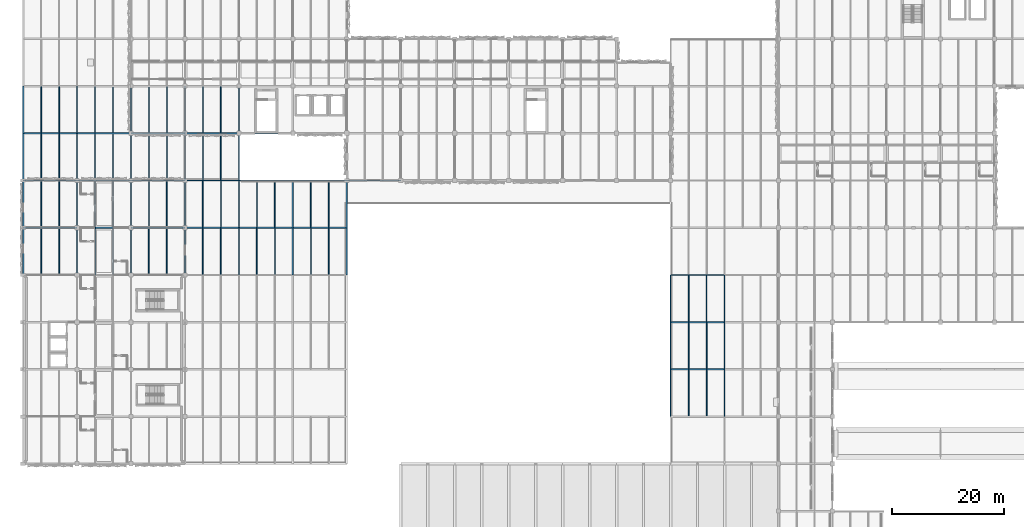
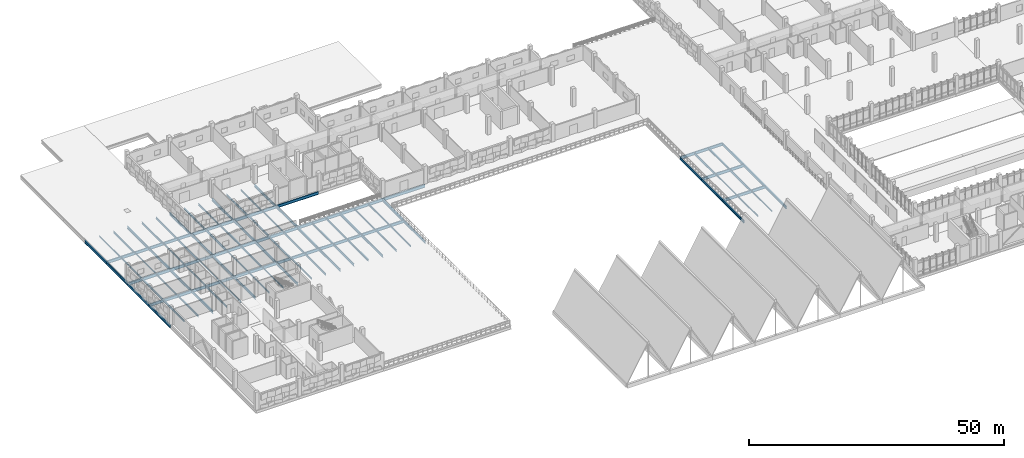
# One storey, part 11 of 86: 97 beams.
"""IFC4 building model written with IfcOpenShell, lengths in metres."""

from ifc_helpers import new_model, si_unit, direction, frame, origin, origin_2d, place, context, subcontext, project, spatial, i_section, extrude, material, material_profile, profile_set, type_object, element, save


model = new_model("IFC4")

# Units and contexts
model_context = context("Model", 3, precision=1e-05, world=origin(), true_north=direction((0.0, 1.0)))
body_context = subcontext(model_context, "Body", "Model", "MODEL_VIEW")
ifc_project = project(units=[si_unit("LENGTHUNIT", "METRE"), si_unit("AREAUNIT", "SQUARE_METRE"), si_unit("VOLUMEUNIT", "CUBIC_METRE"), si_unit("PLANEANGLEUNIT", "RADIAN"), si_unit("MASSUNIT", "GRAM", prefix="KILO")], contexts=[model_context])

# Site, building, storey
site_placement = place(None, origin())
site = spatial("IfcSite", under=ifc_project, at=site_placement, CompositionType="ELEMENT")
building_placement = place(site_placement, origin())
building = spatial("IfcBuilding", under=site, at=building_placement, Name="Oolite Switchyard Hospital", CompositionType="ELEMENT")
storey_placement = place(building_placement, frame((0.0, 0.0, 13.5)))
storey = spatial("IfcBuildingStorey", under=building, at=storey_placement, Name="L03", CompositionType="ELEMENT", Elevation=13.5)

# Beams
ifc_material = material(Name="Steel ASTM A992 Grade 50", Category="steel")
ifc_material_profile_1 = material_profile(ifc_material, i_section(OverallWidth=0.1650390625, OverallDepth=0.31005859375, WebThickness=0.006103515625, FlangeThickness=0.010009765625, at=origin_2d()), Name="W12X26")
ifc_profile_set_1 = profile_set([ifc_material_profile_1], Name="Steel ASTM A992 Grade 50")
beam_type_1 = type_object("IfcBeamType", Name="BM-W12X26", PredefinedType="JOIST", material=ifc_profile_set_1)
for number, where, z_axis, x_axis, name in (
    (1, (6.39990234375, 84.126953125, -0.375), (0.0, 1.0, 0.0), (-1.0, 0.0, 0.0), "L03 Secondary Steel Joist 2405"),
    (2, (3.199951171875, 92.527099609375, -0.375), (0.0, 1.0, 0.0), (-1.0, 0.0, 0.0), "L03 Secondary Steel Joist 2406"),
    (3, (16.0, 75.72705078125, -0.429931640625), (0.0, 1.0, 0.0), (-1.0, 0.0, 0.0), "L03 Secondary Steel Joist 2425"),
    (4, (12.800048828125, 84.126953125, -0.375), (0.0, 1.0, 0.0), (-1.0, 0.0, 0.0), "L03 Secondary Steel Joist 2426"),
    (5, (25.60009765625, 67.326904296875, -0.429931640625), (0.0, 1.0, 0.0), (-1.0, 0.0, 0.0), "L03 Secondary Steel Joist 2443"),
    (6, (22.39990234375, 75.72705078125, -0.429931640625), (0.0, 1.0, 0.0), (-1.0, 0.0, 0.0), "L03 Secondary Steel Joist 2444"),
    (7, (32.0, 67.326904296875, -0.445068359375), (0.0, 1.0, 0.0), (-1.0, 0.0, 0.0), "L03 Secondary Steel Joist 2464"),
    (8, (121.60009765625, 42.126953125, -0.445068359375), (0.0, 1.0, 0.0), (-1.0, 0.0, 0.0), "L03 Secondary Steel Joist 2559"),
    (9, (118.39990234375, 50.527099609375, -0.445068359375), (0.0, 1.0, 0.0), (-1.0, 0.0, 0.0), "L03 Secondary Steel Joist 2560"),
):
    element("IfcBeam", number, at=place(storey_placement, frame(where, z_axis=z_axis, x_axis=x_axis)), inside=storey, type_object=beam_type_1, Name=name, PredefinedType="JOIST", context=body_context, shape_type="SweptSolid", body=[
        extrude(i_section(OverallWidth=0.1650390625, OverallDepth=0.31005859375, WebThickness=0.006103515625, FlangeThickness=0.010009765625, at=origin_2d()), origin(), (0.0, 0.0, 1.0), 8.14599609375),
    ])
ifc_material_profile_2 = material_profile(ifc_material, i_section(OverallWidth=0.1708984375, OverallDepth=0.35107421875, WebThickness=0.007080078125, FlangeThickness=0.010009765625, at=origin_2d()), Name="W14X30")
ifc_profile_set_2 = profile_set([ifc_material_profile_2], Name="Steel ASTM A992 Grade 50")
beam_type_2 = type_object("IfcBeamType", Name="BM-W14X30", PredefinedType="JOIST", material=ifc_profile_set_2)
for number, where, z_axis, x_axis, name in (
    (10, (6.39990234375, 75.72705078125, -0.449951171875), (0.0, 1.0, 0.0), (-1.0, 0.0, 0.0), "L03 Secondary Steel Joist 2403"),
    (11, (3.199951171875, 84.126953125, -0.39599609375), (0.0, 1.0, 0.0), (-1.0, 0.0, 0.0), "L03 Secondary Steel Joist 2404"),
    (12, (16.0, 67.326904296875, -0.449951171875), (0.0, 1.0, 0.0), (-1.0, 0.0, 0.0), "L03 Secondary Steel Joist 2423"),
    (13, (12.800048828125, 75.72705078125, -0.449951171875), (0.0, 1.0, 0.0), (-1.0, 0.0, 0.0), "L03 Secondary Steel Joist 2424"),
    (14, (22.39990234375, 67.326904296875, -0.449951171875), (0.0, 1.0, 0.0), (-1.0, 0.0, 0.0), "L03 Secondary Steel Joist 2442"),
    (15, (118.39990234375, 42.126953125, -0.465087890625), (0.0, 1.0, 0.0), (-1.0, 0.0, 0.0), "L03 Secondary Steel Joist 2558"),
):
    element("IfcBeam", number, at=place(storey_placement, frame(where, z_axis=z_axis, x_axis=x_axis)), inside=storey, type_object=beam_type_2, Name=name, PredefinedType="JOIST", context=body_context, shape_type="SweptSolid", body=[
        extrude(i_section(OverallWidth=0.1708984375, OverallDepth=0.35107421875, WebThickness=0.007080078125, FlangeThickness=0.010009765625, at=origin_2d()), origin(), (0.0, 0.0, 1.0), 8.14599609375),
    ])
ifc_material_profile_3 = material_profile(ifc_material, i_section(OverallWidth=0.177978515625, OverallDepth=0.403076171875, WebThickness=0.008056640625, FlangeThickness=0.010986328125, at=origin_2d()), Name="W16X36")
ifc_profile_set_3 = profile_set([ifc_material_profile_3], Name="Steel ASTM A992 Grade 50")
beam_type_3 = type_object("IfcBeamType", Name="BM-W16X36", PredefinedType="JOIST", material=ifc_profile_set_3)
for number, where, z_axis, x_axis, name in (
    (16, (6.39990234375, 67.326904296875, -0.47607421875), (0.0, 1.0, 0.0), (-1.0, 0.0, 0.0), "L03 Secondary Steel Joist 2401"),
    (17, (3.199951171875, 75.72705078125, -0.47607421875), (0.0, 1.0, 0.0), (-1.0, 0.0, 0.0), "L03 Secondary Steel Joist 2402"),
    (18, (12.800048828125, 67.326904296875, -0.47607421875), (0.0, 1.0, 0.0), (-1.0, 0.0, 0.0), "L03 Secondary Steel Joist 2422"),
):
    element("IfcBeam", number, at=place(storey_placement, frame(where, z_axis=z_axis, x_axis=x_axis)), inside=storey, type_object=beam_type_3, Name=name, PredefinedType="JOIST", context=body_context, shape_type="SweptSolid", body=[
        extrude(i_section(OverallWidth=0.177978515625, OverallDepth=0.403076171875, WebThickness=0.008056640625, FlangeThickness=0.010986328125, at=origin_2d()), origin(), (0.0, 0.0, 1.0), 8.14599609375),
    ])
ifc_material_profile_4 = material_profile(ifc_material, i_section(OverallWidth=0.179931640625, OverallDepth=0.4130859375, WebThickness=0.010009765625, FlangeThickness=0.01611328125, at=origin_2d()), Name="W16X50")
ifc_profile_set_4 = profile_set([ifc_material_profile_4], Name="Steel ASTM A992 Grade 50")
beam_type_4 = type_object("IfcBeamType", Name="BM-W16X50", PredefinedType="JOIST", material=ifc_profile_set_4)
for number, where, z_axis, x_axis, name in (
    (19, (3.199951171875, 67.326904296875, -0.48193359375), (0.0, 1.0, 0.0), (-1.0, 0.0, 0.0), "L03 Secondary Steel Joist 2400"),
    (20, (35.199951171875, 92.527099609375, -0.52587890625), (0.0, 1.0, 0.0), (-1.0, 0.0, 0.0), "L03 Secondary Steel Joist 2471"),
    (21, (54.39990234375, 75.72705078125, -0.49609375), (0.0, 1.0, 0.0), (-1.0, 0.0, 0.0), "L03 Secondary Steel Joist 2509"),
):
    element("IfcBeam", number, at=place(storey_placement, frame(where, z_axis=z_axis, x_axis=x_axis)), inside=storey, type_object=beam_type_4, Name=name, PredefinedType="JOIST", context=body_context, shape_type="SweptSolid", body=[
        extrude(i_section(OverallWidth=0.179931640625, OverallDepth=0.4130859375, WebThickness=0.010009765625, FlangeThickness=0.01611328125, at=origin_2d()), origin(), (0.0, 0.0, 1.0), 8.14599609375),
    ])
ifc_material_profile_5 = material_profile(ifc_material, i_section(OverallWidth=0.153076171875, OverallDepth=0.455078125, WebThickness=0.008056640625, FlangeThickness=0.012939453125, at=origin_2d()), Name="W18X40")
ifc_profile_set_5 = profile_set([ifc_material_profile_5], Name="Steel ASTM A992 Grade 50")
beam_type_5 = type_object("IfcBeamType", Name="BM-W18X40", PredefinedType="JOIST", material=ifc_profile_set_5)
for number, where, z_axis, x_axis, name in (
    (22, (25.60009765625, 92.527099609375, -0.548095703125), (0.0, 1.0, 0.0), (-1.0, 0.0, 0.0), "L03 Secondary Steel Joist 2449"),
    (23, (35.199951171875, 84.126953125, -0.447998046875), (0.0, 1.0, 0.0), (-1.0, 0.0, 0.0), "L03 Secondary Steel Joist 2469"),
    (24, (32.0, 92.527099609375, -0.548095703125), (0.0, 1.0, 0.0), (-1.0, 0.0, 0.0), "L03 Secondary Steel Joist 2470"),
    (25, (44.800048828125, 75.72705078125, -0.51708984375), (0.0, 1.0, 0.0), (-1.0, 0.0, 0.0), "L03 Secondary Steel Joist 2491"),
    (26, (54.39990234375, 67.326904296875, -0.51708984375), (0.0, 1.0, 0.0), (-1.0, 0.0, 0.0), "L03 Secondary Steel Joist 2507"),
    (27, (51.199951171875, 75.72705078125, -0.51708984375), (0.0, 1.0, 0.0), (-1.0, 0.0, 0.0), "L03 Secondary Steel Joist 2508"),
):
    element("IfcBeam", number, at=place(storey_placement, frame(where, z_axis=z_axis, x_axis=x_axis)), inside=storey, type_object=beam_type_5, Name=name, PredefinedType="JOIST", context=body_context, shape_type="SweptSolid", body=[
        extrude(i_section(OverallWidth=0.153076171875, OverallDepth=0.455078125, WebThickness=0.008056640625, FlangeThickness=0.012939453125, at=origin_2d()), origin(), (0.0, 0.0, 1.0), 8.14599609375),
    ])
ifc_material_profile_6 = material_profile(ifc_material, i_section(OverallWidth=0.19091796875, OverallDepth=0.4599609375, WebThickness=0.010009765625, FlangeThickness=0.01611328125, at=origin_2d()), Name="W18X55")
ifc_profile_set_6 = profile_set([ifc_material_profile_6], Name="Steel ASTM A992 Grade 50")
beam_type_6 = type_object("IfcBeamType", Name="BM-W18X55", PredefinedType="JOIST", material=ifc_profile_set_6)
for number, where, z_axis, x_axis, name in (
    (28, (16.0, 92.527099609375, -0.449951171875), (0.0, 1.0, 0.0), (-1.0, 0.0, 0.0), "L03 Secondary Steel Joist 2429"),
    (29, (25.60009765625, 84.126953125, -0.449951171875), (0.0, 1.0, 0.0), (-1.0, 0.0, 0.0), "L03 Secondary Steel Joist 2447"),
    (30, (22.39990234375, 92.527099609375, -0.550048828125), (0.0, 1.0, 0.0), (-1.0, 0.0, 0.0), "L03 Secondary Steel Joist 2448"),
    (31, (35.199951171875, 75.72705078125, -0.52001953125), (0.0, 1.0, 0.0), (-1.0, 0.0, 0.0), "L03 Secondary Steel Joist 2467"),
    (32, (32.0, 84.126953125, -0.449951171875), (0.0, 1.0, 0.0), (-1.0, 0.0, 0.0), "L03 Secondary Steel Joist 2468"),
    (33, (44.800048828125, 67.326904296875, -0.52001953125), (0.0, 1.0, 0.0), (-1.0, 0.0, 0.0), "L03 Secondary Steel Joist 2489"),
    (34, (41.60009765625, 75.72705078125, -0.52001953125), (0.0, 1.0, 0.0), (-1.0, 0.0, 0.0), "L03 Secondary Steel Joist 2490"),
    (35, (51.199951171875, 67.326904296875, -0.52001953125), (0.0, 1.0, 0.0), (-1.0, 0.0, 0.0), "L03 Secondary Steel Joist 2506"),
    (36, (121.60009765625, 58.927001953125, -0.52001953125), (0.0, 1.0, 0.0), (-1.0, 0.0, 0.0), "L03 Secondary Steel Joist 2563"),
):
    element("IfcBeam", number, at=place(storey_placement, frame(where, z_axis=z_axis, x_axis=x_axis)), inside=storey, type_object=beam_type_6, Name=name, PredefinedType="JOIST", context=body_context, shape_type="SweptSolid", body=[
        extrude(i_section(OverallWidth=0.19091796875, OverallDepth=0.4599609375, WebThickness=0.010009765625, FlangeThickness=0.01611328125, at=origin_2d()), origin(), (0.0, 0.0, 1.0), 8.14599609375),
    ])
ifc_material_profile_7 = material_profile(ifc_material, i_section(OverallWidth=0.166015625, OverallDepth=0.529052734375, WebThickness=0.010009765625, FlangeThickness=0.013916015625, at=origin_2d()), Name="W21X50")
ifc_profile_set_7 = profile_set([ifc_material_profile_7], Name="Steel ASTM A992 Grade 50")
beam_type_7 = type_object("IfcBeamType", Name="BM-W21X50", PredefinedType="JOIST", material=ifc_profile_set_7)
for number, where, z_axis, x_axis, name in (
    (37, (6.39990234375, 92.527099609375, -0.48388671875), (0.0, 1.0, 0.0), (-1.0, 0.0, 0.0), "L03 Secondary Steel Joist 2407"),
    (38, (16.0, 84.126953125, -0.48388671875), (0.0, 1.0, 0.0), (-1.0, 0.0, 0.0), "L03 Secondary Steel Joist 2427"),
    (39, (12.800048828125, 92.527099609375, -0.48388671875), (0.0, 1.0, 0.0), (-1.0, 0.0, 0.0), "L03 Secondary Steel Joist 2428"),
    (40, (25.60009765625, 75.72705078125, -0.5400390625), (0.0, 1.0, 0.0), (-1.0, 0.0, 0.0), "L03 Secondary Steel Joist 2445"),
    (41, (22.39990234375, 84.126953125, -0.48388671875), (0.0, 1.0, 0.0), (-1.0, 0.0, 0.0), "L03 Secondary Steel Joist 2446"),
    (42, (35.199951171875, 67.326904296875, -0.553955078125), (0.0, 1.0, 0.0), (-1.0, 0.0, 0.0), "L03 Secondary Steel Joist 2465"),
    (43, (32.0, 75.72705078125, -0.553955078125), (0.0, 1.0, 0.0), (-1.0, 0.0, 0.0), "L03 Secondary Steel Joist 2466"),
    (44, (41.60009765625, 67.326904296875, -0.553955078125), (0.0, 1.0, 0.0), (-1.0, 0.0, 0.0), "L03 Secondary Steel Joist 2488"),
    (45, (121.60009765625, 50.527099609375, -0.553955078125), (0.0, 1.0, 0.0), (-1.0, 0.0, 0.0), "L03 Secondary Steel Joist 2561"),
    (46, (118.39990234375, 58.927001953125, -0.553955078125), (0.0, 1.0, 0.0), (-1.0, 0.0, 0.0), "L03 Secondary Steel Joist 2562"),
):
    element("IfcBeam", number, at=place(storey_placement, frame(where, z_axis=z_axis, x_axis=x_axis)), inside=storey, type_object=beam_type_7, Name=name, PredefinedType="JOIST", context=body_context, shape_type="SweptSolid", body=[
        extrude(i_section(OverallWidth=0.166015625, OverallDepth=0.529052734375, WebThickness=0.010009765625, FlangeThickness=0.013916015625, at=origin_2d()), origin(), (0.0, 0.0, 1.0), 8.14599609375),
    ])
ifc_material_profile_8 = material_profile(ifc_material, i_section(OverallWidth=0.22900390625, OverallDepth=0.612060546875, WebThickness=0.011962890625, FlangeThickness=0.02001953125, at=origin_2d()), Name="W24X84")
ifc_profile_set_8 = profile_set([ifc_material_profile_8], Name="Steel ASTM A992 Grade 50")
beam_type_8 = type_object("IfcBeamType", Name="BM-W24X84", PredefinedType="BEAM", material=ifc_profile_set_8)
beam_1_placement = place(storey_placement, frame((9.60009765625, 67.199951171875, -0.5810546875), z_axis=(0.0, 1.0, 0.0), x_axis=(-1.0, 0.0, 0.0)))
element("IfcBeam", 47, at=beam_1_placement, inside=storey, type_object=beam_type_8, Name="L03 Y-Girder 2179", PredefinedType="BEAM", context=body_context, shape_type="SweptSolid", body=[
    extrude(i_section(OverallWidth=0.22900390625, OverallDepth=0.612060546875, WebThickness=0.011962890625, FlangeThickness=0.02001953125, at=origin_2d()), origin(), (0.0, 0.0, 1.0), 8.400146484375),
])
for number, where, z_axis, x_axis, name in (
    (48, (9.60009765625, 75.60009765625, -0.5810546875), (0.0, 1.0, 0.0), (-1.0, 0.0, 0.0), "L03 Y-Girder 2180"),
    (49, (9.60009765625, 84.0, -0.52587890625), (0.0, 1.0, 0.0), (-1.0, 0.0, 0.0), "L03 Y-Girder 2181"),
):
    element("IfcBeam", number, at=place(storey_placement, frame(where, z_axis=z_axis, x_axis=x_axis)), inside=storey, type_object=beam_type_8, Name=name, PredefinedType="BEAM", context=body_context, shape_type="SweptSolid", body=[
        extrude(i_section(OverallWidth=0.22900390625, OverallDepth=0.612060546875, WebThickness=0.011962890625, FlangeThickness=0.02001953125, at=origin_2d()), origin(), (0.0, 0.0, 1.0), 8.39990234375),
    ])
for number, where, z_axis, x_axis, name in (
    (50, (9.60009765625, 92.39990234375, -0.52587890625), (0.0, 1.0, 0.0), (-1.0, 0.0, 0.0), "L03 Y-Girder 2182"),
    (51, (19.199951171875, 67.199951171875, -0.5810546875), (0.0, 1.0, 0.0), (-1.0, 0.0, 0.0), "L03 Y-Girder 2191"),
):
    element("IfcBeam", number, at=place(storey_placement, frame(where, z_axis=z_axis, x_axis=x_axis)), inside=storey, type_object=beam_type_8, Name=name, PredefinedType="BEAM", context=body_context, shape_type="SweptSolid", body=[
        extrude(i_section(OverallWidth=0.22900390625, OverallDepth=0.612060546875, WebThickness=0.011962890625, FlangeThickness=0.02001953125, at=origin_2d()), origin(), (0.0, 0.0, 1.0), 8.400146484375),
    ])
for number, where, z_axis, x_axis, name in (
    (52, (19.199951171875, 75.60009765625, -0.5810546875), (0.0, 1.0, 0.0), (-1.0, 0.0, 0.0), "L03 Y-Girder 2192"),
    (53, (19.199951171875, 84.0, -0.52587890625), (0.0, 1.0, 0.0), (-1.0, 0.0, 0.0), "L03 Y-Girder 2193"),
):
    element("IfcBeam", number, at=place(storey_placement, frame(where, z_axis=z_axis, x_axis=x_axis)), inside=storey, type_object=beam_type_8, Name=name, PredefinedType="BEAM", context=body_context, shape_type="SweptSolid", body=[
        extrude(i_section(OverallWidth=0.22900390625, OverallDepth=0.612060546875, WebThickness=0.011962890625, FlangeThickness=0.02001953125, at=origin_2d()), origin(), (0.0, 0.0, 1.0), 8.39990234375),
    ])
for number, where, z_axis, x_axis, name in (
    (54, (19.199951171875, 92.39990234375, -0.6259765625), (0.0, 1.0, 0.0), (-1.0, 0.0, 0.0), "L03 Y-Girder 2194"),
    (55, (28.800048828125, 67.199951171875, -0.595947265625), (0.0, 1.0, 0.0), (-1.0, 0.0, 0.0), "L03 Y-Girder 2203"),
):
    element("IfcBeam", number, at=place(storey_placement, frame(where, z_axis=z_axis, x_axis=x_axis)), inside=storey, type_object=beam_type_8, Name=name, PredefinedType="BEAM", context=body_context, shape_type="SweptSolid", body=[
        extrude(i_section(OverallWidth=0.22900390625, OverallDepth=0.612060546875, WebThickness=0.011962890625, FlangeThickness=0.02001953125, at=origin_2d()), origin(), (0.0, 0.0, 1.0), 8.400146484375),
    ])
for number, where, z_axis, x_axis, name in (
    (56, (28.800048828125, 75.60009765625, -0.595947265625), (0.0, 1.0, 0.0), (-1.0, 0.0, 0.0), "L03 Y-Girder 2204"),
    (57, (28.800048828125, 84.0, -0.52587890625), (0.0, 1.0, 0.0), (-1.0, 0.0, 0.0), "L03 Y-Girder 2205"),
):
    element("IfcBeam", number, at=place(storey_placement, frame(where, z_axis=z_axis, x_axis=x_axis)), inside=storey, type_object=beam_type_8, Name=name, PredefinedType="BEAM", context=body_context, shape_type="SweptSolid", body=[
        extrude(i_section(OverallWidth=0.22900390625, OverallDepth=0.612060546875, WebThickness=0.011962890625, FlangeThickness=0.02001953125, at=origin_2d()), origin(), (0.0, 0.0, 1.0), 8.39990234375),
    ])
for number, where, z_axis, x_axis, name in (
    (58, (28.800048828125, 92.39990234375, -0.6259765625), (0.0, 1.0, 0.0), (-1.0, 0.0, 0.0), "L03 Y-Girder 2206"),
    (59, (38.39990234375, 67.199951171875, -0.595947265625), (0.0, 1.0, 0.0), (-1.0, 0.0, 0.0), "L03 Y-Girder 2215"),
):
    element("IfcBeam", number, at=place(storey_placement, frame(where, z_axis=z_axis, x_axis=x_axis)), inside=storey, type_object=beam_type_8, Name=name, PredefinedType="BEAM", context=body_context, shape_type="SweptSolid", body=[
        extrude(i_section(OverallWidth=0.22900390625, OverallDepth=0.612060546875, WebThickness=0.011962890625, FlangeThickness=0.02001953125, at=origin_2d()), origin(), (0.0, 0.0, 1.0), 8.400146484375),
    ])
for number, where, z_axis, x_axis, name in (
    (60, (38.39990234375, 75.60009765625, -0.595947265625), (0.0, 1.0, 0.0), (-1.0, 0.0, 0.0), "L03 Y-Girder 2216"),
    (61, (38.39990234375, 84.0, -0.52587890625), (0.0, 1.0, 0.0), (-1.0, 0.0, 0.0), "L03 Y-Girder 2217"),
):
    element("IfcBeam", number, at=place(storey_placement, frame(where, z_axis=z_axis, x_axis=x_axis)), inside=storey, type_object=beam_type_8, Name=name, PredefinedType="BEAM", context=body_context, shape_type="SweptSolid", body=[
        extrude(i_section(OverallWidth=0.22900390625, OverallDepth=0.612060546875, WebThickness=0.011962890625, FlangeThickness=0.02001953125, at=origin_2d()), origin(), (0.0, 0.0, 1.0), 8.39990234375),
    ])
for number, where, z_axis, x_axis, name in (
    (62, (38.39990234375, 92.39990234375, -0.6259765625), (0.0, 1.0, 0.0), (-1.0, 0.0, 0.0), "L03 Y-Girder 2218"),
    (63, (48.0, 67.199951171875, -0.595947265625), (0.0, 1.0, 0.0), (-1.0, 0.0, 0.0), "L03 Y-Girder 2227"),
):
    element("IfcBeam", number, at=place(storey_placement, frame(where, z_axis=z_axis, x_axis=x_axis)), inside=storey, type_object=beam_type_8, Name=name, PredefinedType="BEAM", context=body_context, shape_type="SweptSolid", body=[
        extrude(i_section(OverallWidth=0.22900390625, OverallDepth=0.612060546875, WebThickness=0.011962890625, FlangeThickness=0.02001953125, at=origin_2d()), origin(), (0.0, 0.0, 1.0), 8.400146484375),
    ])
beam_2_placement = place(storey_placement, frame((48.0, 75.60009765625, -0.595947265625), z_axis=(0.0, 1.0, 0.0), x_axis=(-1.0, 0.0, 0.0)))
element("IfcBeam", 64, at=beam_2_placement, inside=storey, type_object=beam_type_8, Name="L03 Y-Girder 2228", PredefinedType="BEAM", context=body_context, shape_type="SweptSolid", body=[
    extrude(i_section(OverallWidth=0.22900390625, OverallDepth=0.612060546875, WebThickness=0.011962890625, FlangeThickness=0.02001953125, at=origin_2d()), origin(), (0.0, 0.0, 1.0), 8.39990234375),
])
beam_3_placement = place(storey_placement, frame((57.60009765625, 67.199951171875, -0.595947265625), z_axis=(0.0, 1.0, 0.0), x_axis=(-1.0, 0.0, 0.0)))
element("IfcBeam", 65, at=beam_3_placement, inside=storey, type_object=beam_type_8, Name="L03 Y-Girder 2238", PredefinedType="BEAM", context=body_context, shape_type="SweptSolid", body=[
    extrude(i_section(OverallWidth=0.22900390625, OverallDepth=0.612060546875, WebThickness=0.011962890625, FlangeThickness=0.02001953125, at=origin_2d()), origin(), (0.0, 0.0, 1.0), 8.400146484375),
])
for number, where, z_axis, x_axis, name in (
    (66, (57.60009765625, 75.60009765625, -0.595947265625), (0.0, 1.0, 0.0), (-1.0, 0.0, 0.0), "L03 Y-Girder 2239"),
    (67, (115.199951171875, 42.0, -0.595947265625), (0.0, 1.0, 0.0), (-1.0, 0.0, 0.0), "L03 Y-Girder 2266"),
):
    element("IfcBeam", number, at=place(storey_placement, frame(where, z_axis=z_axis, x_axis=x_axis)), inside=storey, type_object=beam_type_8, Name=name, PredefinedType="BEAM", context=body_context, shape_type="SweptSolid", body=[
        extrude(i_section(OverallWidth=0.22900390625, OverallDepth=0.612060546875, WebThickness=0.011962890625, FlangeThickness=0.02001953125, at=origin_2d()), origin(), (0.0, 0.0, 1.0), 8.39990234375),
    ])
beam_4_placement = place(storey_placement, frame((115.199951171875, 50.39990234375, -0.595947265625), z_axis=(0.0, 1.0, 0.0), x_axis=(-1.0, 0.0, 0.0)))
element("IfcBeam", 68, at=beam_4_placement, inside=storey, type_object=beam_type_8, Name="L03 Y-Girder 2267", PredefinedType="BEAM", context=body_context, shape_type="SweptSolid", body=[
    extrude(i_section(OverallWidth=0.22900390625, OverallDepth=0.612060546875, WebThickness=0.011962890625, FlangeThickness=0.02001953125, at=origin_2d()), origin(), (0.0, 0.0, 1.0), 8.400146484375),
])
for number, where, z_axis, x_axis, name in (
    (69, (115.199951171875, 58.800048828125, -0.595947265625), (0.0, 1.0, 0.0), (-1.0, 0.0, 0.0), "L03 Y-Girder 2268"),
    (70, (124.800048828125, 42.0, -0.595947265625), (0.0, 1.0, 0.0), (-1.0, 0.0, 0.0), "L03 Y-Girder 2275"),
):
    element("IfcBeam", number, at=place(storey_placement, frame(where, z_axis=z_axis, x_axis=x_axis)), inside=storey, type_object=beam_type_8, Name=name, PredefinedType="BEAM", context=body_context, shape_type="SweptSolid", body=[
        extrude(i_section(OverallWidth=0.22900390625, OverallDepth=0.612060546875, WebThickness=0.011962890625, FlangeThickness=0.02001953125, at=origin_2d()), origin(), (0.0, 0.0, 1.0), 8.39990234375),
    ])
beam_5_placement = place(storey_placement, frame((124.800048828125, 50.39990234375, -0.595947265625), z_axis=(0.0, 1.0, 0.0), x_axis=(-1.0, 0.0, 0.0)))
element("IfcBeam", 71, at=beam_5_placement, inside=storey, type_object=beam_type_8, Name="L03 Y-Girder 2276", PredefinedType="BEAM", context=body_context, shape_type="SweptSolid", body=[
    extrude(i_section(OverallWidth=0.22900390625, OverallDepth=0.612060546875, WebThickness=0.011962890625, FlangeThickness=0.02001953125, at=origin_2d()), origin(), (0.0, 0.0, 1.0), 8.400146484375),
])
beam_6_placement = place(storey_placement, frame((124.800048828125, 58.800048828125, -0.595947265625), z_axis=(0.0, 1.0, 0.0), x_axis=(-1.0, 0.0, 0.0)))
element("IfcBeam", 72, at=beam_6_placement, inside=storey, type_object=beam_type_8, Name="L03 Y-Girder 2277", PredefinedType="BEAM", context=body_context, shape_type="SweptSolid", body=[
    extrude(i_section(OverallWidth=0.22900390625, OverallDepth=0.612060546875, WebThickness=0.011962890625, FlangeThickness=0.02001953125, at=origin_2d()), origin(), (0.0, 0.0, 1.0), 8.39990234375),
])
ifc_material_profile_9 = material_profile(ifc_material, i_section(OverallWidth=0.25390625, OverallDepth=0.68408203125, WebThickness=0.011962890625, FlangeThickness=0.01904296875, at=origin_2d()), Name="W27X94")
ifc_profile_set_9 = profile_set([ifc_material_profile_9], Name="Steel ASTM A992 Grade 50")
beam_type_9 = type_object("IfcBeamType", Name="BM-W27X94", PredefinedType="BEAM", material=ifc_profile_set_9)
for number, where, z_axis, x_axis, name in (
    (73, (115.199951171875, 50.39990234375, -0.632080078125), (1.0, 0.0, 0.0), (0.0, 1.0, 0.0), "L03 X-Girder 1981"),
    (74, (115.199951171875, 58.800048828125, -0.632080078125), (1.0, 0.0, 0.0), (0.0, 1.0, 0.0), "L03 X-Girder 1997"),
    (75, (115.199951171875, 67.199951171875, -0.632080078125), (1.0, 0.0, 0.0), (0.0, 1.0, 0.0), "L03 X-Girder 2013"),
    (76, (0.0, 75.60009765625, -0.616943359375), (1.0, 0.0, 0.0), (0.0, 1.0, 0.0), "L03 X-Girder 2023"),
):
    element("IfcBeam", number, at=place(storey_placement, frame(where, z_axis=z_axis, x_axis=x_axis)), inside=storey, type_object=beam_type_9, Name=name, PredefinedType="BEAM", context=body_context, shape_type="SweptSolid", body=[
        extrude(i_section(OverallWidth=0.25390625, OverallDepth=0.68408203125, WebThickness=0.011962890625, FlangeThickness=0.01904296875, at=origin_2d()), origin(), (0.0, 0.0, 1.0), 9.60009765625),
    ])
beam_7_placement = place(storey_placement, frame((9.60009765625, 75.60009765625, -0.616943359375), z_axis=(1.0, 0.0, 0.0), x_axis=(0.0, 1.0, 0.0)))
element("IfcBeam", 77, at=beam_7_placement, inside=storey, type_object=beam_type_9, Name="L03 X-Girder 2024", PredefinedType="BEAM", context=body_context, shape_type="SweptSolid", body=[
    extrude(i_section(OverallWidth=0.25390625, OverallDepth=0.68408203125, WebThickness=0.011962890625, FlangeThickness=0.01904296875, at=origin_2d()), origin(), (0.0, 0.0, 1.0), 9.599853515625),
])
beam_8_placement = place(storey_placement, frame((19.199951171875, 75.60009765625, -0.616943359375), z_axis=(1.0, 0.0, 0.0), x_axis=(0.0, 1.0, 0.0)))
element("IfcBeam", 78, at=beam_8_placement, inside=storey, type_object=beam_type_9, Name="L03 X-Girder 2025", PredefinedType="BEAM", context=body_context, shape_type="SweptSolid", body=[
    extrude(i_section(OverallWidth=0.25390625, OverallDepth=0.68408203125, WebThickness=0.011962890625, FlangeThickness=0.01904296875, at=origin_2d()), origin(), (0.0, 0.0, 1.0), 9.60009765625),
])
beam_9_placement = place(storey_placement, frame((28.800048828125, 75.60009765625, -0.632080078125), z_axis=(1.0, 0.0, 0.0), x_axis=(0.0, 1.0, 0.0)))
element("IfcBeam", 79, at=beam_9_placement, inside=storey, type_object=beam_type_9, Name="L03 X-Girder 2026", PredefinedType="BEAM", context=body_context, shape_type="SweptSolid", body=[
    extrude(i_section(OverallWidth=0.25390625, OverallDepth=0.68408203125, WebThickness=0.011962890625, FlangeThickness=0.01904296875, at=origin_2d()), origin(), (0.0, 0.0, 1.0), 9.599853515625),
])
for number, where, z_axis, x_axis, name in (
    (80, (38.39990234375, 75.60009765625, -0.632080078125), (1.0, 0.0, 0.0), (0.0, 1.0, 0.0), "L03 X-Girder 2027"),
    (81, (48.0, 75.60009765625, -0.632080078125), (1.0, 0.0, 0.0), (0.0, 1.0, 0.0), "L03 X-Girder 2028"),
    (82, (0.0, 84.0, -0.616943359375), (1.0, 0.0, 0.0), (0.0, 1.0, 0.0), "L03 X-Girder 2038"),
):
    element("IfcBeam", number, at=place(storey_placement, frame(where, z_axis=z_axis, x_axis=x_axis)), inside=storey, type_object=beam_type_9, Name=name, PredefinedType="BEAM", context=body_context, shape_type="SweptSolid", body=[
        extrude(i_section(OverallWidth=0.25390625, OverallDepth=0.68408203125, WebThickness=0.011962890625, FlangeThickness=0.01904296875, at=origin_2d()), origin(), (0.0, 0.0, 1.0), 9.60009765625),
    ])
beam_10_placement = place(storey_placement, frame((9.60009765625, 84.0, -0.616943359375), z_axis=(1.0, 0.0, 0.0), x_axis=(0.0, 1.0, 0.0)))
element("IfcBeam", 83, at=beam_10_placement, inside=storey, type_object=beam_type_9, Name="L03 X-Girder 2039", PredefinedType="BEAM", context=body_context, shape_type="SweptSolid", body=[
    extrude(i_section(OverallWidth=0.25390625, OverallDepth=0.68408203125, WebThickness=0.011962890625, FlangeThickness=0.01904296875, at=origin_2d()), origin(), (0.0, 0.0, 1.0), 9.599853515625),
])
beam_11_placement = place(storey_placement, frame((19.199951171875, 84.0, -0.616943359375), z_axis=(1.0, 0.0, 0.0), x_axis=(0.0, 1.0, 0.0)))
element("IfcBeam", 84, at=beam_11_placement, inside=storey, type_object=beam_type_9, Name="L03 X-Girder 2040", PredefinedType="BEAM", context=body_context, shape_type="SweptSolid", body=[
    extrude(i_section(OverallWidth=0.25390625, OverallDepth=0.68408203125, WebThickness=0.011962890625, FlangeThickness=0.01904296875, at=origin_2d()), origin(), (0.0, 0.0, 1.0), 9.60009765625),
])
beam_12_placement = place(storey_placement, frame((28.800048828125, 84.0, -0.632080078125), z_axis=(1.0, 0.0, 0.0), x_axis=(0.0, 1.0, 0.0)))
element("IfcBeam", 85, at=beam_12_placement, inside=storey, type_object=beam_type_9, Name="L03 X-Girder 2041", PredefinedType="BEAM", context=body_context, shape_type="SweptSolid", body=[
    extrude(i_section(OverallWidth=0.25390625, OverallDepth=0.68408203125, WebThickness=0.011962890625, FlangeThickness=0.01904296875, at=origin_2d()), origin(), (0.0, 0.0, 1.0), 9.599853515625),
])
for number, where, z_axis, x_axis, name in (
    (86, (38.39990234375, 84.0, -0.632080078125), (1.0, 0.0, 0.0), (0.0, 1.0, 0.0), "L03 X-Girder 2042"),
    (87, (48.0, 84.0, -0.632080078125), (1.0, 0.0, 0.0), (0.0, 1.0, 0.0), "L03 X-Girder 2043"),
):
    element("IfcBeam", number, at=place(storey_placement, frame(where, z_axis=z_axis, x_axis=x_axis)), inside=storey, type_object=beam_type_9, Name=name, PredefinedType="BEAM", context=body_context, shape_type="SweptSolid", body=[
        extrude(i_section(OverallWidth=0.25390625, OverallDepth=0.68408203125, WebThickness=0.011962890625, FlangeThickness=0.01904296875, at=origin_2d()), origin(), (0.0, 0.0, 1.0), 9.60009765625),
    ])
beam_13_placement = place(storey_placement, frame((57.60009765625, 84.0, -0.632080078125), z_axis=(1.0, 0.0, 0.0), x_axis=(0.0, 1.0, 0.0)))
element("IfcBeam", 88, at=beam_13_placement, inside=storey, type_object=beam_type_9, Name="L03 X-Girder 2044", PredefinedType="BEAM", context=body_context, shape_type="SweptSolid", body=[
    extrude(i_section(OverallWidth=0.25390625, OverallDepth=0.68408203125, WebThickness=0.011962890625, FlangeThickness=0.01904296875, at=origin_2d()), origin(), (0.0, 0.0, 1.0), 9.599853515625),
])
beam_14_placement = place(storey_placement, frame((0.0, 92.39990234375, -0.56201171875), z_axis=(1.0, 0.0, 0.0), x_axis=(0.0, 1.0, 0.0)))
element("IfcBeam", 89, at=beam_14_placement, inside=storey, type_object=beam_type_9, Name="L03 X-Girder 2056", PredefinedType="BEAM", context=body_context, shape_type="SweptSolid", body=[
    extrude(i_section(OverallWidth=0.25390625, OverallDepth=0.68408203125, WebThickness=0.011962890625, FlangeThickness=0.01904296875, at=origin_2d()), origin(), (0.0, 0.0, 1.0), 9.60009765625),
])
beam_15_placement = place(storey_placement, frame((9.60009765625, 92.39990234375, -0.56201171875), z_axis=(1.0, 0.0, 0.0), x_axis=(0.0, 1.0, 0.0)))
element("IfcBeam", 90, at=beam_15_placement, inside=storey, type_object=beam_type_9, Name="L03 X-Girder 2057", PredefinedType="BEAM", context=body_context, shape_type="SweptSolid", body=[
    extrude(i_section(OverallWidth=0.25390625, OverallDepth=0.68408203125, WebThickness=0.011962890625, FlangeThickness=0.01904296875, at=origin_2d()), origin(), (0.0, 0.0, 1.0), 9.599853515625),
])
beam_16_placement = place(storey_placement, frame((19.199951171875, 92.39990234375, -0.662109375), z_axis=(1.0, 0.0, 0.0), x_axis=(0.0, 1.0, 0.0)))
element("IfcBeam", 91, at=beam_16_placement, inside=storey, type_object=beam_type_9, Name="L03 X-Girder 2058", PredefinedType="BEAM", context=body_context, shape_type="SweptSolid", body=[
    extrude(i_section(OverallWidth=0.25390625, OverallDepth=0.68408203125, WebThickness=0.011962890625, FlangeThickness=0.01904296875, at=origin_2d()), origin(), (0.0, 0.0, 1.0), 9.60009765625),
])
beam_17_placement = place(storey_placement, frame((28.800048828125, 92.39990234375, -0.662109375), z_axis=(1.0, 0.0, 0.0), x_axis=(0.0, 1.0, 0.0)))
element("IfcBeam", 92, at=beam_17_placement, inside=storey, type_object=beam_type_9, Name="L03 X-Girder 2059", PredefinedType="BEAM", context=body_context, shape_type="SweptSolid", body=[
    extrude(i_section(OverallWidth=0.25390625, OverallDepth=0.68408203125, WebThickness=0.011962890625, FlangeThickness=0.01904296875, at=origin_2d()), origin(), (0.0, 0.0, 1.0), 9.599853515625),
])
beam_18_placement = place(storey_placement, frame((38.39990234375, 92.39990234375, -0.662109375), z_axis=(1.0, 0.0, 0.0), x_axis=(0.0, 1.0, 0.0)))
element("IfcBeam", 93, at=beam_18_placement, inside=storey, type_object=beam_type_9, Name="L03 X-Girder 2060", PredefinedType="BEAM", context=body_context, shape_type="SweptSolid", body=[
    extrude(i_section(OverallWidth=0.25390625, OverallDepth=0.68408203125, WebThickness=0.011962890625, FlangeThickness=0.01904296875, at=origin_2d()), origin(), (0.0, 0.0, 1.0), 9.60009765625),
])
beam_19_placement = place(storey_placement, frame((0.0, 67.199951171875, -0.616943359375), z_axis=(0.0, 1.0, 0.0), x_axis=(-1.0, 0.0, 0.0)))
element("IfcBeam", 94, at=beam_19_placement, inside=storey, type_object=beam_type_9, Name="L03 Y-Girder 2168", PredefinedType="BEAM", context=body_context, shape_type="SweptSolid", body=[
    extrude(i_section(OverallWidth=0.25390625, OverallDepth=0.68408203125, WebThickness=0.011962890625, FlangeThickness=0.01904296875, at=origin_2d()), origin(), (0.0, 0.0, 1.0), 8.400146484375),
])
for number, where, z_axis, x_axis, name in (
    (95, (0.0, 75.60009765625, -0.616943359375), (0.0, 1.0, 0.0), (-1.0, 0.0, 0.0), "L03 Y-Girder 2169"),
    (96, (0.0, 84.0, -0.56201171875), (0.0, 1.0, 0.0), (-1.0, 0.0, 0.0), "L03 Y-Girder 2170"),
):
    element("IfcBeam", number, at=place(storey_placement, frame(where, z_axis=z_axis, x_axis=x_axis)), inside=storey, type_object=beam_type_9, Name=name, PredefinedType="BEAM", context=body_context, shape_type="SweptSolid", body=[
        extrude(i_section(OverallWidth=0.25390625, OverallDepth=0.68408203125, WebThickness=0.011962890625, FlangeThickness=0.01904296875, at=origin_2d()), origin(), (0.0, 0.0, 1.0), 8.39990234375),
    ])
beam_20_placement = place(storey_placement, frame((0.0, 92.39990234375, -0.56201171875), z_axis=(0.0, 1.0, 0.0), x_axis=(-1.0, 0.0, 0.0)))
element("IfcBeam", 97, at=beam_20_placement, inside=storey, type_object=beam_type_9, Name="L03 Y-Girder 2171", PredefinedType="BEAM", context=body_context, shape_type="SweptSolid", body=[
    extrude(i_section(OverallWidth=0.25390625, OverallDepth=0.68408203125, WebThickness=0.011962890625, FlangeThickness=0.01904296875, at=origin_2d()), origin(), (0.0, 0.0, 1.0), 8.400146484375),
])

save(model, "model.ifc")
